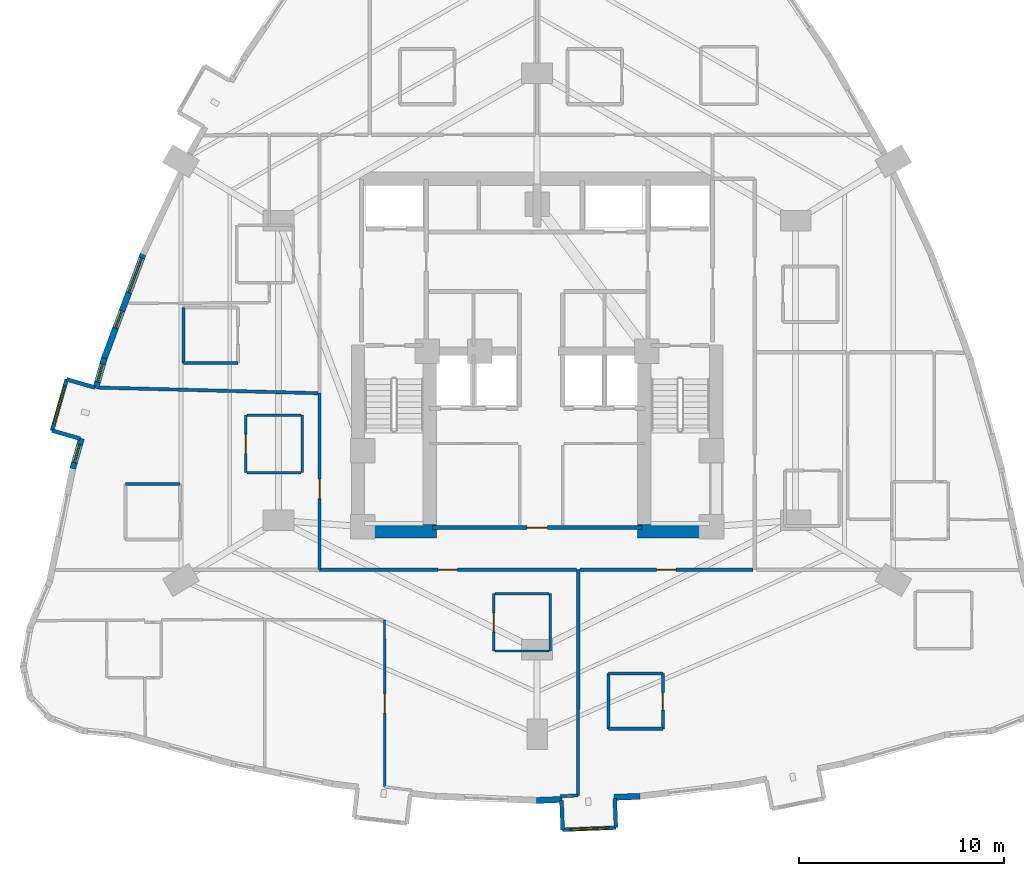
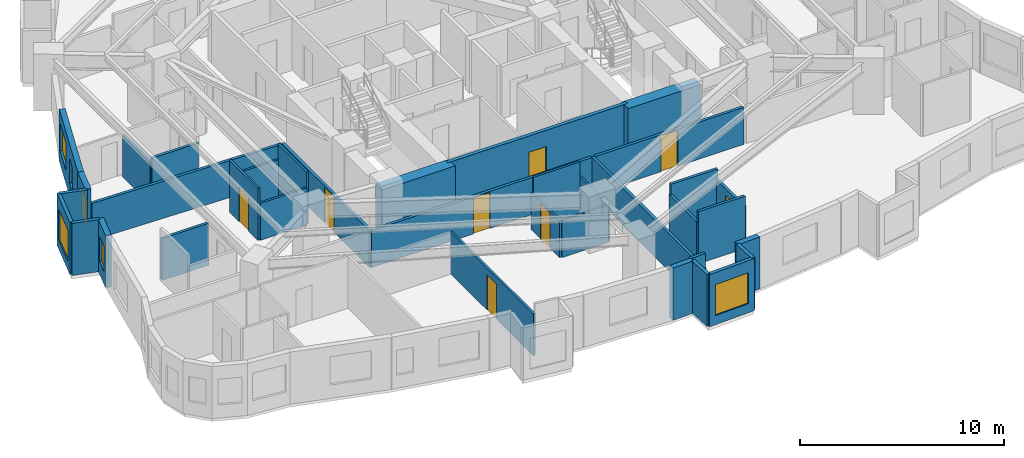
# One storey, part 9 of 15: 36 walls, 8 doors, 6 windows, 14 openings.
"""IFC4 building model written with IfcOpenShell, lengths in metres."""

from ifc_helpers import new_model, si_unit, direction, frame, frame_2d, origin, place, context, subcontext, project, spatial, rectangle, extrude, material, layer, layer_set, type_object, element, fill, save


model = new_model("IFC4")

# Units and contexts
model_context = context("Model", 3, precision=1e-05, world=origin(), true_north=direction((0.0, 1.0)))
body_context = subcontext(model_context, "Body", "Model", "MODEL_VIEW")
ifc_project = project(units=[si_unit("LENGTHUNIT", "METRE"), si_unit("AREAUNIT", "SQUARE_METRE"), si_unit("VOLUMEUNIT", "CUBIC_METRE"), si_unit("PLANEANGLEUNIT", "RADIAN"), si_unit("MASSUNIT", "GRAM", prefix="KILO")], contexts=[model_context])

# Site, building, storey
site_placement = place(None, origin())
site = spatial("IfcSite", under=ifc_project, at=site_placement, CompositionType="ELEMENT")
building_placement = place(site_placement, origin())
building = spatial("IfcBuilding", under=site, at=building_placement, Name="Miruveldt Soraemaru", CompositionType="ELEMENT")
storey_placement = place(building_placement, frame((0.0, 0.0, 32.60009765625)))
storey = spatial("IfcBuildingStorey", under=building, at=storey_placement, Name="L08", CompositionType="ELEMENT", Elevation=32.60009765625)

# Walls
ifc_material_1 = material(Name="White powder-coated aluminium EN AW-6060 T6", Category="aluminium")
ifc_layer_1 = layer(ifc_material_1, 0.18994140625, Name="White powder-coated aluminium EN AW-6060 T6", Category="aluminium")
ifc_layer_set_1 = layer_set([ifc_layer_1], Name="White powder-coated aluminium EN AW-6060 T6")
wall_type_1 = type_object("IfcWallType", Name="WALL-BAY-ALU190", PredefinedType="SOLIDWALL", material=ifc_layer_set_1)
wall_1_placement = place(storey_placement, frame((22.44482421875, 42.28369140625, 0.0), z_axis=(0.0, 0.0, 1.0), x_axis=(-0.961407497968, 0.27512837522, 0.0)))
element("IfcWall", 1, at=wall_1_placement, inside=storey, type_object=wall_type_1, Name="L08 Bay Window Side Cheek 3L", PredefinedType="SOLIDWALL", context=body_context, shape_type="SweptSolid", body=[
    extrude(rectangle(XDim=1.425048828125, YDim=0.18994140625, at=frame_2d((0.71240234375, 0.0))), origin(), (0.0, 0.0, 1.0), 3.125),
])
wall_2_placement = place(storey_placement, frame((20.35986328125, 40.17578125, 0.0), z_axis=(0.0, 0.0, 1.0), x_axis=(0.961439844578, -0.275015318223, 0.0)))
element("IfcWall", 2, at=wall_2_placement, inside=storey, type_object=wall_type_1, Name="L08 Bay Window Side Cheek 3R", PredefinedType="SOLIDWALL", context=body_context, shape_type="SweptSolid", body=[
    extrude(rectangle(XDim=1.4248046875, YDim=0.18994140625, at=frame_2d((0.71240234375, 0.0))), origin(), (0.0, 0.0, 1.0), 3.125),
])

# Wall, opening, window
wall_3_placement = place(storey_placement, frame((21.07470703125, 42.67578125, 0.0), z_axis=(0.0, 0.0, 1.0), x_axis=(-0.274919538046, -0.961467236883, 0.0)))
wall_3 = element("IfcWall", 3, at=wall_3_placement, inside=storey, type_object=wall_type_1, Name="L08 Bay Window Front Frame 3", PredefinedType="SOLIDWALL", context=body_context, shape_type="SweptSolid", body=[
    extrude(rectangle(XDim=2.60009765625, YDim=0.18994140625, at=frame_2d((1.300048828125, 0.0))), origin(), (0.0, 0.0, 1.0), 3.125),
])
opening_1_placement = place(wall_3_placement, frame((0.35009765625, 0.0, 0.550048828125)))
opening_1 = element("IfcOpeningElement", 4, at=opening_1_placement, cuts=wall_3, Name="Opening WN-6", PredefinedType="OPENING", context=body_context, shape_type="SweptSolid", body=[
    extrude(rectangle(XDim=1.89990234375, YDim=1.85009765625, at=frame_2d((0.949951171875, 0.925048828125))), frame((0.0, 0.10498046875, 0.0), z_axis=(0.0, -1.0, 0.0), x_axis=(1.0, 0.0, 0.0)), (0.0, 0.0, 1.0), 0.2099609375),
])
ifc_material_2 = material(Name="Triple low-e insulated glazing", Category="glass")
window_type_1 = type_object("IfcWindowType", Name="WIN-BAYW-1900x1850", PartitioningType="SINGLE_PANEL", PredefinedType="WINDOW", material=ifc_material_2)
window_1_placement = place(opening_1_placement, origin())
window_1 = element("IfcWindow", 5, at=window_1_placement, inside=storey, type_object=window_type_1, Name="L08 Projecting Bay Window 3", OverallHeight=1.85009765625, OverallWidth=1.89990234375, PartitioningType="SINGLE_PANEL", PredefinedType="WINDOW", context=body_context, shape_type="SweptSolid", body=[
    extrude(rectangle(XDim=1.89990234375, YDim=1.85009765625, at=frame_2d((0.949951171875, 0.925048828125))), frame((0.0, 0.030029296875, 0.0), z_axis=(0.0, -1.0, 0.0), x_axis=(1.0, 0.0, 0.0)), (0.0, 0.0, 1.0), 0.06005859375),
])
fill(opening_1, window_1)

# Walls
for number, where, z_axis, x_axis, name in (
    (6, (45.189453125, 22.14794921875, 0.0), (0.0, 0.0, 1.0), (0.039920142234, -0.999202873417, 0.0), "L08 Bay Window Side Cheek 5L"),
    (7, (47.84423828125, 20.827880859375, 0.0), (0.0, 0.0, 1.0), (-0.039920142234, 0.999202873417, 0.0), "L08 Bay Window Side Cheek 5R"),
):
    element("IfcWall", number, at=place(storey_placement, frame(where, z_axis=z_axis, x_axis=x_axis)), inside=storey, type_object=wall_type_1, Name=name, PredefinedType="SOLIDWALL", context=body_context, shape_type="SweptSolid", body=[
        extrude(rectangle(XDim=1.425048828125, YDim=0.18994140625, at=frame_2d((0.71240234375, 0.0))), origin(), (0.0, 0.0, 1.0), 3.125),
    ])

# Wall, opening, window
wall_4_placement = place(storey_placement, frame((45.246337890625, 20.72412109375, 0.0), z_axis=(0.0, 0.0, 1.0), x_axis=(0.999203356953, 0.039908037469, 0.0)))
wall_4 = element("IfcWall", 8, at=wall_4_placement, inside=storey, type_object=wall_type_1, Name="L08 Bay Window Front Frame 5", PredefinedType="SOLIDWALL", context=body_context, shape_type="SweptSolid", body=[
    extrude(rectangle(XDim=2.599853515625, YDim=0.18994140625, at=frame_2d((1.2998046875, 0.0))), origin(), (0.0, 0.0, 1.0), 3.125),
])
opening_2_placement = place(wall_4_placement, frame((0.35009765625, 0.0, 0.550048828125)))
opening_2 = element("IfcOpeningElement", 9, at=opening_2_placement, cuts=wall_4, Name="Opening WN-6", PredefinedType="OPENING", context=body_context, shape_type="SweptSolid", body=[
    extrude(rectangle(XDim=1.89990234375, YDim=1.85009765625, at=frame_2d((0.949951171875, 0.925048828125))), frame((0.0, 0.10498046875, 0.0), z_axis=(0.0, -1.0, 0.0), x_axis=(1.0, 0.0, 0.0)), (0.0, 0.0, 1.0), 0.2099609375),
])
window_2_placement = place(opening_2_placement, origin())
window_2 = element("IfcWindow", 10, at=window_2_placement, inside=storey, type_object=window_type_1, Name="L08 Projecting Bay Window 5", OverallHeight=1.85009765625, OverallWidth=1.89990234375, PartitioningType="SINGLE_PANEL", PredefinedType="WINDOW", context=body_context, shape_type="SweptSolid", body=[
    extrude(rectangle(XDim=1.89990234375, YDim=1.85009765625, at=frame_2d((0.949951171875, 0.925048828125))), frame((0.0, 0.030029296875, 0.0), z_axis=(0.0, -1.0, 0.0), x_axis=(1.0, 0.0, 0.0)), (0.0, 0.0, 1.0), 0.06005859375),
])
fill(opening_2, window_2)

# Walls
ifc_material_3 = material(Name="Concrete C80/95 (80 MPa)", Category="concrete")
ifc_layer_2 = layer(ifc_material_3, 0.64990234375, Name="Concrete C80/95 (80 MPa)", Category="concrete")
ifc_layer_set_2 = layer_set([ifc_layer_2], Name="Concrete C80/95 (80 MPa)")
wall_type_2 = type_object("IfcWallType", Name="WALL-CW-650", PredefinedType="SHEAR", material=ifc_layer_set_2)
for number, where, z_axis, x_axis, name in (
    (11, (34.949951171875, 35.27490234375, 0.0), (0.0, 0.0, 1.0), (1.0, 0.0, 0.0), "L08 Central Core Shear Wall S1"),
    (12, (48.89990234375, 35.27490234375, 0.0), (0.0, 0.0, 1.0), (1.0, 0.0, 0.0), "L08 Central Core Shear Wall S2"),
):
    element("IfcWall", number, at=place(storey_placement, frame(where, z_axis=z_axis, x_axis=x_axis)), inside=storey, type_object=wall_type_2, Name=name, PredefinedType="SHEAR", context=body_context, shape_type="SweptSolid", body=[
        extrude(rectangle(XDim=4.150146484375, YDim=0.64990234375, at=frame_2d((2.0751953125, 0.0))), origin(), (0.0, 0.0, 1.0), 3.125),
    ])

# Wall, openings, windows
ifc_material_4 = material(Name="Precast concrete C45/55 (45 MPa)", Category="concrete")
ifc_layer_3 = layer(ifc_material_4, 0.300048828125, Name="Precast concrete C45/55 (45 MPa)", Category="concrete")
ifc_layer_set_3 = layer_set([ifc_layer_3], Name="Precast concrete C45/55 (45 MPa)")
wall_type_3 = type_object("IfcWallType", Name="WALL-EXT-PC300", PredefinedType="SOLIDWALL", material=ifc_layer_set_3)
wall_5_placement = place(storey_placement, frame((24.820556640625, 48.832763671875, 0.0), z_axis=(0.0, 0.0, 1.0), x_axis=(-0.349000413077, -0.93712257025, 0.0)))
wall_5 = element("IfcWall", 13, at=wall_5_placement, inside=storey, type_object=wall_type_3, Name="L08 Precast Concrete Facade Wall 12", PredefinedType="SOLIDWALL", context=body_context, shape_type="SweptSolid", body=[
    extrude(rectangle(XDim=5.53466796875, YDim=0.300048828125, at=frame_2d((2.767333984375, 0.0))), origin(), (0.0, 0.0, 1.0), 3.125),
])
opening_3_placement = place(wall_5_placement, frame((0.258056640625, 0.0, 0.800048828125)))
opening_3 = element("IfcOpeningElement", 14, at=opening_3_placement, cuts=wall_5, Name="Opening WN-2", PredefinedType="OPENING", context=body_context, shape_type="SweptSolid", body=[
    extrude(rectangle(XDim=1.800048828125, YDim=1.64990234375, at=frame_2d((0.89990234375, 0.824951171875))), frame((0.0, 0.16015625, 0.0), z_axis=(0.0, -1.0, 0.0), x_axis=(1.0, 0.0, 0.0)), (0.0, 0.0, 1.0), 0.320068359375),
])
opening_4_placement = place(wall_5_placement, frame((3.006103515625, 0.0, 0.780029296875)))
opening_4 = element("IfcOpeningElement", 15, at=opening_4_placement, cuts=wall_5, Name="Opening WN-7", PredefinedType="OPENING", context=body_context, shape_type="SweptSolid", body=[
    extrude(rectangle(XDim=0.89990234375, YDim=1.5, at=frame_2d((0.449951171875, 0.75))), frame((0.0, 0.16015625, 0.0), z_axis=(0.0, -1.0, 0.0), x_axis=(1.0, 0.0, 0.0)), (0.0, 0.0, 1.0), 0.320068359375),
])
window_type_2 = type_object("IfcWindowType", Name="WIN-PUNCH-1800x1650", PartitioningType="SINGLE_PANEL", PredefinedType="WINDOW", material=ifc_material_2)
window_3_placement = place(opening_3_placement, origin())
window_3 = element("IfcWindow", 16, at=window_3_placement, inside=storey, type_object=window_type_2, Name="L08 Punched Triple-Glazed Window 12.1", OverallHeight=1.64990234375, OverallWidth=1.800048828125, PartitioningType="SINGLE_PANEL", PredefinedType="WINDOW", context=body_context, shape_type="SweptSolid", body=[
    extrude(rectangle(XDim=1.800048828125, YDim=1.64990234375, at=frame_2d((0.89990234375, 0.824951171875))), frame((0.0, 0.030029296875, 0.0), z_axis=(0.0, -1.0, 0.0), x_axis=(1.0, 0.0, 0.0)), (0.0, 0.0, 1.0), 0.06005859375),
])
fill(opening_3, window_3)
window_type_3 = type_object("IfcWindowType", Name="WIN-PUNCH-900x1500", PartitioningType="SINGLE_PANEL", PredefinedType="WINDOW", material=ifc_material_2)
window_4_placement = place(opening_4_placement, origin())
window_4 = element("IfcWindow", 17, at=window_4_placement, inside=storey, type_object=window_type_3, Name="L08 Punched Triple-Glazed Window 12.2", OverallHeight=1.5, OverallWidth=0.89990234375, PartitioningType="SINGLE_PANEL", PredefinedType="WINDOW", context=body_context, shape_type="SweptSolid", body=[
    extrude(rectangle(XDim=0.89990234375, YDim=1.5, at=frame_2d((0.449951171875, 0.75))), frame((0.0, 0.030029296875, 0.0), z_axis=(0.0, -1.0, 0.0), x_axis=(1.0, 0.0, 0.0)), (0.0, 0.0, 1.0), 0.06005859375),
])
fill(opening_4, window_4)

# Wall, opening, window
wall_6_placement = place(storey_placement, frame((22.91064453125, 43.71240234375, 0.0), z_axis=(0.0, 0.0, 1.0), x_axis=(-0.274994833253, -0.961445703971, 0.0)))
wall_6 = element("IfcWall", 18, at=wall_6_placement, inside=storey, type_object=wall_type_3, Name="L08 Precast Pier Wall 13A", PredefinedType="SOLIDWALL", context=body_context, shape_type="SweptSolid", body=[
    extrude(rectangle(XDim=1.531494140625, YDim=0.300048828125, at=frame_2d((0.765625, 0.0))), origin(), (0.0, 0.0, 1.0), 3.125),
])
opening_5_placement = place(wall_6_placement, frame((0.30908203125, 0.0, 0.780029296875)))
opening_5 = element("IfcOpeningElement", 19, at=opening_5_placement, cuts=wall_6, Name="Opening WN-7", PredefinedType="OPENING", context=body_context, shape_type="SweptSolid", body=[
    extrude(rectangle(XDim=0.89990234375, YDim=1.5, at=frame_2d((0.449951171875, 0.75))), frame((0.0, 0.16015625, 0.0), z_axis=(0.0, -1.0, 0.0), x_axis=(1.0, 0.0, 0.0)), (0.0, 0.0, 1.0), 0.320068359375),
])
window_5_placement = place(opening_5_placement, origin())
window_5 = element("IfcWindow", 20, at=window_5_placement, inside=storey, type_object=window_type_3, Name="L08 Punched Triple-Glazed Window 13A.1", OverallHeight=1.5, OverallWidth=0.89990234375, PartitioningType="SINGLE_PANEL", PredefinedType="WINDOW", context=body_context, shape_type="SweptSolid", body=[
    extrude(rectangle(XDim=0.89990234375, YDim=1.5, at=frame_2d((0.449951171875, 0.75))), frame((0.0, 0.030029296875, 0.0), z_axis=(0.0, -1.0, 0.0), x_axis=(1.0, 0.0, 0.0)), (0.0, 0.0, 1.0), 0.06005859375),
])
fill(opening_5, window_5)

wall_7_placement = place(storey_placement, frame((21.791015625, 39.797607421875, 0.0), z_axis=(0.0, 0.0, 1.0), x_axis=(-0.274994833253, -0.961445703971, 0.0)))
wall_7 = element("IfcWall", 21, at=wall_7_placement, inside=storey, type_object=wall_type_3, Name="L08 Precast Pier Wall 13B", PredefinedType="SOLIDWALL", context=body_context, shape_type="SweptSolid", body=[
    extrude(rectangle(XDim=1.531494140625, YDim=0.300048828125, at=frame_2d((0.765625, 0.0))), origin(), (0.0, 0.0, 1.0), 3.125),
])
opening_6_placement = place(wall_7_placement, frame((0.31591796875, 0.0, 0.780029296875)))
opening_6 = element("IfcOpeningElement", 22, at=opening_6_placement, cuts=wall_7, Name="Opening WN-7", PredefinedType="OPENING", context=body_context, shape_type="SweptSolid", body=[
    extrude(rectangle(XDim=0.89990234375, YDim=1.5, at=frame_2d((0.449951171875, 0.75))), frame((0.0, 0.16015625, 0.0), z_axis=(0.0, -1.0, 0.0), x_axis=(1.0, 0.0, 0.0)), (0.0, 0.0, 1.0), 0.320068359375),
])
window_6_placement = place(opening_6_placement, origin())
window_6 = element("IfcWindow", 23, at=window_6_placement, inside=storey, type_object=window_type_3, Name="L08 Punched Triple-Glazed Window 13B.1", OverallHeight=1.5, OverallWidth=0.89990234375, PartitioningType="SINGLE_PANEL", PredefinedType="WINDOW", context=body_context, shape_type="SweptSolid", body=[
    extrude(rectangle(XDim=0.89990234375, YDim=1.5, at=frame_2d((0.449951171875, 0.75))), frame((0.0, 0.030029296875, 0.0), z_axis=(0.0, -1.0, 0.0), x_axis=(1.0, 0.0, 0.0)), (0.0, 0.0, 1.0), 0.06005859375),
])
fill(opening_6, window_6)

# Walls
for number, where, z_axis, x_axis, name in (
    (24, (43.965087890625, 22.154052734375, 0.0), (0.0, 0.0, 1.0), (0.999202203057, 0.039936917845, 0.0), "L08 Precast Pier Wall 25A"),
    (25, (47.755126953125, 22.3056640625, 0.0), (0.0, 0.0, 1.0), (0.999202203057, 0.039936917845, 0.0), "L08 Precast Pier Wall 25B"),
):
    element("IfcWall", number, at=place(storey_placement, frame(where, z_axis=z_axis, x_axis=x_axis)), inside=storey, type_object=wall_type_3, Name=name, PredefinedType="SOLIDWALL", context=body_context, shape_type="SweptSolid", body=[
        extrude(rectangle(XDim=1.253173828125, YDim=0.300048828125, at=frame_2d((0.62646484375, 0.0))), origin(), (0.0, 0.0, 1.0), 3.125),
    ])

# Wall, opening, door
ifc_material_5 = material(Name="Gypsum plasterboard lining", Category="gypsum")
ifc_layer_4 = layer(ifc_material_5, 0.1201171875, Name="Gypsum plasterboard lining", Category="gypsum")
ifc_layer_set_4 = layer_set([ifc_layer_4], Name="Gypsum plasterboard lining")
wall_type_4 = type_object("IfcWallType", Name="WALL-INT-P120", PredefinedType="PARTITIONING", material=ifc_layer_set_4)
wall_8_placement = place(storey_placement, frame((36.56298828125, 30.949951171875, 0.0), z_axis=(0.0, 0.0, 1.0), x_axis=(0.001230454337, -0.999999242991, 0.0)))
wall_8 = element("IfcWall", 26, at=wall_8_placement, inside=storey, type_object=wall_type_4, Name="L08 Partition Wall 95", PredefinedType="PARTITIONING", context=body_context, shape_type="SweptSolid", body=[
    extrude(rectangle(XDim=8.135009765625, YDim=0.1201171875, at=frame_2d((4.0673828125, 0.0))), origin(), (0.0, 0.0, 1.0), 2.512939453125),
])
opening_7_placement = place(wall_8_placement, frame((3.60791015625, 0.0, 0.0)))
opening_7 = element("IfcOpeningElement", 27, at=opening_7_placement, cuts=wall_8, Name="Opening D3A", PredefinedType="OPENING", context=body_context, shape_type="SweptSolid", body=[
    extrude(rectangle(XDim=0.919921875, YDim=2.10009765625, at=frame_2d((0.4599609375, 1.050048828125))), frame((0.0, 0.070068359375, 0.0), z_axis=(0.0, -1.0, 0.0), x_axis=(1.0, 0.0, 0.0)), (0.0, 0.0, 1.0), 0.14013671875),
])
ifc_material_6 = material(Name="Anodised aluminium EN AW-6063 T6", Category="aluminium")
door_type_1 = type_object("IfcDoorType", Name="DOOR-INT-920", OperationType="NOTDEFINED", PredefinedType="DOOR", material=ifc_material_6)
door_1_placement = place(opening_7_placement, origin())
door_1 = element("IfcDoor", 28, at=door_1_placement, inside=storey, type_object=door_type_1, Name="L08 Unit 0808 BD3 Door", OperationType="SINGLE_SWING_RIGHT", OverallHeight=2.10009765625, OverallWidth=0.919921875, PredefinedType="DOOR", context=body_context, shape_type="SweptSolid", body=[
    extrude(rectangle(XDim=0.919921875, YDim=2.10009765625, at=frame_2d((0.4599609375, 1.050048828125))), frame((0.0, 0.02490234375, 0.0), z_axis=(0.0, -1.0, 0.0), x_axis=(1.0, 0.0, 0.0)), (0.0, 0.0, 1.0), 0.050048828125),
])
fill(opening_7, door_1)

wall_9_placement = place(storey_placement, frame((41.884033203125, 32.238037109375, 0.0), z_axis=(0.0, 0.0, 1.0), x_axis=(0.0, -1.0, 0.0)))
wall_9 = element("IfcWall", 29, at=wall_9_placement, inside=storey, type_object=wall_type_4, Name="L08 Partition Wall 87", PredefinedType="PARTITIONING", context=body_context, shape_type="SweptSolid", body=[
    extrude(rectangle(XDim=2.800048828125, YDim=0.1201171875, at=frame_2d((1.39990234375, 0.0))), origin(), (0.0, 0.0, 1.0), 2.219970703125),
])
opening_8_placement = place(wall_9_placement, frame((0.93994140625, 0.0, 0.0)))
opening_8 = element("IfcOpeningElement", 30, at=opening_8_placement, cuts=wall_9, Name="Opening D3A", PredefinedType="OPENING", context=body_context, shape_type="SweptSolid", body=[
    extrude(rectangle(XDim=0.919921875, YDim=2.10009765625, at=frame_2d((0.4599609375, 1.050048828125))), frame((0.0, 0.070068359375, 0.0), z_axis=(0.0, -1.0, 0.0), x_axis=(1.0, 0.0, 0.0)), (0.0, 0.0, 1.0), 0.14013671875),
])
door_2_placement = place(opening_8_placement, origin())
door_2 = element("IfcDoor", 31, at=door_2_placement, inside=storey, type_object=door_type_1, Name="L08 Unit 0808 KIT Door", OperationType="SINGLE_SWING_LEFT", OverallHeight=2.10009765625, OverallWidth=0.919921875, PredefinedType="DOOR", context=body_context, shape_type="SweptSolid", body=[
    extrude(rectangle(XDim=0.919921875, YDim=2.10009765625, at=frame_2d((0.4599609375, 1.050048828125))), frame((0.0, 0.02490234375, 0.0), z_axis=(0.0, -1.0, 0.0), x_axis=(1.0, 0.0, 0.0)), (0.0, 0.0, 1.0), 0.050048828125),
])
fill(opening_8, door_2)

wall_10_placement = place(storey_placement, frame((29.799072265625, 40.929931640625, 0.0), z_axis=(0.0, 0.0, 1.0), x_axis=(0.0, -1.0, 0.0)))
wall_10 = element("IfcWall", 32, at=wall_10_placement, inside=storey, type_object=wall_type_4, Name="L08 Partition Wall 61", PredefinedType="PARTITIONING", context=body_context, shape_type="SweptSolid", body=[
    extrude(rectangle(XDim=2.800048828125, YDim=0.1201171875, at=frame_2d((1.39990234375, 0.0))), origin(), (0.0, 0.0, 1.0), 3.125),
])
opening_9_placement = place(wall_10_placement, frame((0.93994140625, 0.0, 0.0)))
opening_9 = element("IfcOpeningElement", 33, at=opening_9_placement, cuts=wall_10, Name="Opening D3A", PredefinedType="OPENING", context=body_context, shape_type="SweptSolid", body=[
    extrude(rectangle(XDim=0.919921875, YDim=2.10009765625, at=frame_2d((0.4599609375, 1.050048828125))), frame((0.0, 0.070068359375, 0.0), z_axis=(0.0, -1.0, 0.0), x_axis=(1.0, 0.0, 0.0)), (0.0, 0.0, 1.0), 0.14013671875),
])
door_3_placement = place(opening_9_placement, origin())
door_3 = element("IfcDoor", 34, at=door_3_placement, inside=storey, type_object=door_type_1, Name="L08 Unit CL05 KIT Door", OperationType="SINGLE_SWING_RIGHT", OverallHeight=2.10009765625, OverallWidth=0.919921875, PredefinedType="DOOR", context=body_context, shape_type="SweptSolid", body=[
    extrude(rectangle(XDim=0.919921875, YDim=2.10009765625, at=frame_2d((0.4599609375, 1.050048828125))), frame((0.0, 0.02490234375, 0.0), z_axis=(0.0, -1.0, 0.0), x_axis=(1.0, 0.0, 0.0)), (0.0, 0.0, 1.0), 0.050048828125),
])
fill(opening_9, door_3)

# Walls
wall_11_placement = place(storey_placement, frame((44.634033203125, 29.43798828125, 0.0), z_axis=(0.0, 0.0, 1.0), x_axis=(0.0, 1.0, 0.0)))
element("IfcWall", 35, at=wall_11_placement, inside=storey, type_object=wall_type_4, Name="L08 Partition Wall 85", PredefinedType="PARTITIONING", context=body_context, shape_type="SweptSolid", body=[
    extrude(rectangle(XDim=2.800048828125, YDim=0.1201171875, at=frame_2d((1.39990234375, 0.0))), origin(), (0.0, 0.0, 1.0), 2.219970703125),
])
wall_12_placement = place(storey_placement, frame((32.549072265625, 38.1298828125, 0.0), z_axis=(0.0, 0.0, 1.0), x_axis=(0.0, 1.0, 0.0)))
element("IfcWall", 36, at=wall_12_placement, inside=storey, type_object=wall_type_4, Name="L08 Partition Wall 59", PredefinedType="PARTITIONING", context=body_context, shape_type="SweptSolid", body=[
    extrude(rectangle(XDim=2.800048828125, YDim=0.1201171875, at=frame_2d((1.39990234375, 0.0))), origin(), (0.0, 0.0, 1.0), 3.125),
])
for number, where, z_axis, x_axis, name in (
    (37, (32.489013671875, 40.929931640625, 0.0), (0.0, 0.0, 1.0), (-1.0, 0.0, 0.0), "L08 Partition Wall 60"),
    (38, (29.85888671875, 38.1298828125, 0.0), (0.0, 0.0, 1.0), (1.0, 0.0, 0.0), "L08 Partition Wall 62"),
):
    element("IfcWall", number, at=place(storey_placement, frame(where, z_axis=z_axis, x_axis=x_axis)), inside=storey, type_object=wall_type_4, Name=name, PredefinedType="PARTITIONING", context=body_context, shape_type="SweptSolid", body=[
        extrude(rectangle(XDim=2.630126953125, YDim=0.1201171875, at=frame_2d((1.31494140625, 0.0))), origin(), (0.0, 0.0, 1.0), 2.219970703125),
    ])
wall_13_placement = place(storey_placement, frame((44.573974609375, 32.238037109375, 0.0), z_axis=(0.0, 0.0, 1.0), x_axis=(-1.0, 0.0, 0.0)))
element("IfcWall", 39, at=wall_13_placement, inside=storey, type_object=wall_type_4, Name="L08 Partition Wall 86", PredefinedType="PARTITIONING", context=body_context, shape_type="SweptSolid", body=[
    extrude(rectangle(XDim=2.6298828125, YDim=0.1201171875, at=frame_2d((1.31494140625, 0.0))), origin(), (0.0, 0.0, 1.0), 3.125),
])
wall_14_placement = place(storey_placement, frame((41.944091796875, 29.43798828125, 0.0), z_axis=(0.0, 0.0, 1.0), x_axis=(1.0, 0.0, 0.0)))
element("IfcWall", 40, at=wall_14_placement, inside=storey, type_object=wall_type_4, Name="L08 Partition Wall 88", PredefinedType="PARTITIONING", context=body_context, shape_type="SweptSolid", body=[
    extrude(rectangle(XDim=2.6298828125, YDim=0.1201171875, at=frame_2d((1.31494140625, 0.0))), origin(), (0.0, 0.0, 1.0), 2.219970703125),
])

# Wall, opening, door
ifc_layer_5 = layer(ifc_material_5, 0.14990234375, Name="Gypsum plasterboard lining", Category="gypsum")
ifc_layer_set_5 = layer_set([ifc_layer_5], Name="Gypsum plasterboard lining")
wall_type_5 = type_object("IfcWallType", Name="WALL-INT-PLUMB", PredefinedType="PLUMBINGWALL", material=ifc_layer_set_5)
wall_15_placement = place(storey_placement, frame((50.1298828125, 25.64794921875, 0.0), z_axis=(0.0, 0.0, 1.0), x_axis=(0.0, 1.0, 0.0)))
wall_15 = element("IfcWall", 41, at=wall_15_placement, inside=storey, type_object=wall_type_5, Name="L08 Partition Wall 99", PredefinedType="PLUMBINGWALL", context=body_context, shape_type="SweptSolid", body=[
    extrude(rectangle(XDim=2.699951171875, YDim=0.14990234375, at=frame_2d((1.35009765625, 0.0))), origin(), (0.0, 0.0, 1.0), 2.512939453125),
])
opening_10_placement = place(wall_15_placement, frame((0.909912109375, 0.0, 0.0)))
opening_10 = element("IfcOpeningElement", 42, at=opening_10_placement, cuts=wall_15, Name="Opening FD3", PredefinedType="OPENING", context=body_context, shape_type="SweptSolid", body=[
    extrude(rectangle(XDim=0.85009765625, YDim=2.10009765625, at=frame_2d((0.425048828125, 1.050048828125))), frame((0.0, 0.0849609375, 0.0), z_axis=(0.0, -1.0, 0.0), x_axis=(1.0, 0.0, 0.0)), (0.0, 0.0, 1.0), 0.169921875),
])
door_type_2 = type_object("IfcDoorType", Name="DOOR-FD3-850", OperationType="NOTDEFINED", PredefinedType="DOOR", material=ifc_material_6)
door_4_placement = place(opening_10_placement, origin())
door_4 = element("IfcDoor", 43, at=door_4_placement, inside=storey, type_object=door_type_2, Name="L08 Unit CL09 BTH Door", OperationType="SINGLE_SWING_RIGHT", OverallHeight=2.10009765625, OverallWidth=0.85009765625, PredefinedType="DOOR", context=body_context, shape_type="SweptSolid", body=[
    extrude(rectangle(XDim=0.85009765625, YDim=2.10009765625, at=frame_2d((0.425048828125, 1.050048828125))), frame((0.0, 0.02490234375, 0.0), z_axis=(0.0, -1.0, 0.0), x_axis=(1.0, 0.0, 0.0)), (0.0, 0.0, 1.0), 0.050048828125),
])
fill(opening_10, door_4)

# Walls
for number, where, z_axis, x_axis, name in (
    (44, (26.77197265625, 46.179931640625, 0.0), (0.0, 0.0, 1.0), (0.0, -1.0, 0.0), "L08 Partition Wall 43"),
    (45, (47.47998046875, 28.347900390625, 0.0), (0.0, 0.0, 1.0), (0.0, -1.0, 0.0), "L08 Partition Wall 101"),
):
    element("IfcWall", number, at=place(storey_placement, frame(where, z_axis=z_axis, x_axis=x_axis)), inside=storey, type_object=wall_type_5, Name=name, PredefinedType="PLUMBINGWALL", context=body_context, shape_type="SweptSolid", body=[
        extrude(rectangle(XDim=2.699951171875, YDim=0.14990234375, at=frame_2d((1.35009765625, 0.0))), origin(), (0.0, 0.0, 1.0), 2.512939453125),
    ])
for number, where, z_axis, x_axis, name in (
    (46, (50.1298828125, 28.347900390625, 0.0), (0.0, 0.0, 1.0), (-1.0, 0.0, 0.0), "L08 Partition Wall 100"),
    (47, (47.47998046875, 25.64794921875, 0.0), (0.0, 0.0, 1.0), (1.0, 0.0, 0.0), "L08 Partition Wall 102"),
):
    element("IfcWall", number, at=place(storey_placement, frame(where, z_axis=z_axis, x_axis=x_axis)), inside=storey, type_object=wall_type_5, Name=name, PredefinedType="PLUMBINGWALL", context=body_context, shape_type="SweptSolid", body=[
        extrude(rectangle(XDim=2.64990234375, YDim=0.14990234375, at=frame_2d((1.324951171875, 0.0))), origin(), (0.0, 0.0, 1.0), 3.125),
    ])
wall_16_placement = place(storey_placement, frame((26.77197265625, 43.47998046875, 0.0), z_axis=(0.0, 0.0, 1.0), x_axis=(1.0, 0.0, 0.0)))
element("IfcWall", 48, at=wall_16_placement, inside=storey, type_object=wall_type_5, Name="L08 Partition Wall 44", PredefinedType="PLUMBINGWALL", context=body_context, shape_type="SweptSolid", body=[
    extrude(rectangle(XDim=2.650146484375, YDim=0.14990234375, at=frame_2d((1.3251953125, 0.0))), origin(), (0.0, 0.0, 1.0), 2.762939453125),
])
wall_17_placement = place(storey_placement, frame((26.59912109375, 37.580078125, 0.0), z_axis=(0.0, 0.0, 1.0), x_axis=(-1.0, 0.0, 0.0)))
element("IfcWall", 49, at=wall_17_placement, inside=storey, type_object=wall_type_5, Name="L08 Partition Wall 56", PredefinedType="PLUMBINGWALL", context=body_context, shape_type="SweptSolid", body=[
    extrude(rectangle(XDim=2.650146484375, YDim=0.14990234375, at=frame_2d((1.3251953125, 0.0))), origin(), (0.0, 0.0, 1.0), 2.512939453125),
])

# Wall, opening, door
ifc_material_7 = material(Name="Concrete C40/50 (40 MPa)", Category="concrete")
ifc_layer_6 = layer(ifc_material_7, 0.159912109375, Name="Concrete C40/50 (40 MPa)", Category="concrete")
ifc_layer_set_6 = layer_set([ifc_layer_6], Name="Concrete C40/50 (40 MPa)")
wall_type_6 = type_object("IfcWallType", Name="WALL-INT-RC160", PredefinedType="SOLIDWALL", material=ifc_layer_set_6)
wall_18_placement = place(storey_placement, frame((33.389892578125, 33.39990234375, 0.0), z_axis=(0.0, 0.0, 1.0), x_axis=(1.0, 0.0, 0.0)))
wall_18 = element("IfcWall", 50, at=wall_18_placement, inside=storey, type_object=wall_type_6, Name="L08 Partition Wall 10", PredefinedType="SOLIDWALL", context=body_context, shape_type="SweptSolid", body=[
    extrude(rectangle(XDim=12.527099609375, YDim=0.159912109375, at=frame_2d((6.263671875, 0.0))), origin(), (0.0, 0.0, 1.0), 2.219970703125),
])
opening_11_placement = place(wall_18_placement, frame((5.7890625, 0.0, 0.0)))
opening_11 = element("IfcOpeningElement", 51, at=opening_11_placement, cuts=wall_18, Name="Opening FD2", PredefinedType="OPENING", context=body_context, shape_type="SweptSolid", body=[
    extrude(rectangle(XDim=0.949951171875, YDim=2.14990234375, at=frame_2d((0.47509765625, 1.074951171875))), frame((0.0, 0.08984375, 0.0), z_axis=(0.0, -1.0, 0.0), x_axis=(1.0, 0.0, 0.0)), (0.0, 0.0, 1.0), 0.179931640625),
])
door_type_3 = type_object("IfcDoorType", Name="DOOR-FD2-950", OperationType="NOTDEFINED", PredefinedType="DOOR", material=ifc_material_6)
door_5_placement = place(opening_11_placement, origin())
door_5 = element("IfcDoor", 52, at=door_5_placement, inside=storey, type_object=door_type_3, Name="L08 Unit 0808 Entrance Fire Door", OperationType="SINGLE_SWING_RIGHT", OverallHeight=2.14990234375, OverallWidth=0.949951171875, PredefinedType="DOOR", context=body_context, shape_type="SweptSolid", body=[
    extrude(rectangle(XDim=0.949951171875, YDim=2.14990234375, at=frame_2d((0.47509765625, 1.074951171875))), frame((0.0, 0.02490234375, 0.0), z_axis=(0.0, -1.0, 0.0), x_axis=(1.0, 0.0, 0.0)), (0.0, 0.0, 1.0), 0.050048828125),
])
fill(opening_11, door_5)

wall_19_placement = place(storey_placement, frame((33.39990234375, 42.0, 0.0), z_axis=(0.0, 0.0, 1.0), x_axis=(0.0, -1.0, 0.0)))
wall_19 = element("IfcWall", 53, at=wall_19_placement, inside=storey, type_object=wall_type_6, Name="L08 Partition Wall 5", PredefinedType="SOLIDWALL", context=body_context, shape_type="SweptSolid", body=[
    extrude(rectangle(XDim=8.60009765625, YDim=0.159912109375, at=frame_2d((4.300048828125, 0.0))), origin(), (0.0, 0.0, 1.0), 2.219970703125),
])
opening_12_placement = place(wall_19_placement, frame((4.18505859375, 0.0, 0.0)))
opening_12 = element("IfcOpeningElement", 54, at=opening_12_placement, cuts=wall_19, Name="Opening FD2", PredefinedType="OPENING", context=body_context, shape_type="SweptSolid", body=[
    extrude(rectangle(XDim=0.949951171875, YDim=2.14990234375, at=frame_2d((0.47509765625, 1.074951171875))), frame((0.0, 0.08984375, 0.0), z_axis=(0.0, -1.0, 0.0), x_axis=(1.0, 0.0, 0.0)), (0.0, 0.0, 1.0), 0.179931640625),
])
door_6_placement = place(opening_12_placement, origin())
door_6 = element("IfcDoor", 55, at=door_6_placement, inside=storey, type_object=door_type_3, Name="L08 Unit CL05 Entrance Fire Door", OperationType="SINGLE_SWING_RIGHT", OverallHeight=2.14990234375, OverallWidth=0.949951171875, PredefinedType="DOOR", context=body_context, shape_type="SweptSolid", body=[
    extrude(rectangle(XDim=0.949951171875, YDim=2.14990234375, at=frame_2d((0.47509765625, 1.074951171875))), frame((0.0, 0.02490234375, 0.0), z_axis=(0.0, -1.0, 0.0), x_axis=(1.0, 0.0, 0.0)), (0.0, 0.0, 1.0), 0.050048828125),
])
fill(opening_12, door_6)

wall_20_placement = place(storey_placement, frame((46.080078125, 33.39990234375, 0.0), z_axis=(0.0, 0.0, 1.0), x_axis=(1.0, 0.0, 0.0)))
wall_20 = element("IfcWall", 56, at=wall_20_placement, inside=storey, type_object=wall_type_6, Name="L08 Partition Wall 11", PredefinedType="SOLIDWALL", context=body_context, shape_type="SweptSolid", body=[
    extrude(rectangle(XDim=8.43994140625, YDim=0.159912109375, at=frame_2d((4.219970703125, 0.0))), origin(), (0.0, 0.0, 1.0), 2.219970703125),
])
opening_13_placement = place(wall_20_placement, frame((3.7451171875, 0.0, 0.0)))
opening_13 = element("IfcOpeningElement", 57, at=opening_13_placement, cuts=wall_20, Name="Opening FD2", PredefinedType="OPENING", context=body_context, shape_type="SweptSolid", body=[
    extrude(rectangle(XDim=0.949951171875, YDim=2.14990234375, at=frame_2d((0.47509765625, 1.074951171875))), frame((0.0, 0.08984375, 0.0), z_axis=(0.0, -1.0, 0.0), x_axis=(1.0, 0.0, 0.0)), (0.0, 0.0, 1.0), 0.179931640625),
])
door_7_placement = place(opening_13_placement, origin())
door_7 = element("IfcDoor", 58, at=door_7_placement, inside=storey, type_object=door_type_3, Name="L08 Unit CL09 Entrance Fire Door", OperationType="SINGLE_SWING_LEFT", OverallHeight=2.14990234375, OverallWidth=0.949951171875, PredefinedType="DOOR", context=body_context, shape_type="SweptSolid", body=[
    extrude(rectangle(XDim=0.949951171875, YDim=2.14990234375, at=frame_2d((0.47509765625, 1.074951171875))), frame((0.0, 0.02490234375, 0.0), z_axis=(0.0, -1.0, 0.0), x_axis=(1.0, 0.0, 0.0)), (0.0, 0.0, 1.0), 0.050048828125),
])
fill(opening_13, door_7)

# Walls
wall_21_placement = place(storey_placement, frame((45.9970703125, 22.39990234375, 0.0), z_axis=(0.0, 0.0, 1.0), x_axis=(0.000266335218, 0.999999964533, 0.0)))
element("IfcWall", 59, at=wall_21_placement, inside=storey, type_object=wall_type_6, Name="L08 Partition Wall 96", PredefinedType="SOLIDWALL", context=body_context, shape_type="SweptSolid", body=[
    extrude(rectangle(XDim=11.0, YDim=0.159912109375, at=frame_2d((5.5, 0.0))), origin(), (0.0, 0.0, 1.0), 2.219970703125),
])
wall_22_placement = place(storey_placement, frame((22.663330078125, 42.2734375, 0.0), z_axis=(0.0, 0.0, 1.0), x_axis=(0.999670979336, -0.025650206114, 0.0)))
element("IfcWall", 60, at=wall_22_placement, inside=storey, type_object=wall_type_6, Name="L08 Partition Wall 51", PredefinedType="SOLIDWALL", context=body_context, shape_type="SweptSolid", body=[
    extrude(rectangle(XDim=10.66015625, YDim=0.159912109375, at=frame_2d((5.330078125, 0.0))), origin(), (0.0, 0.0, 1.0), 2.219970703125),
])
wall_23_placement = place(storey_placement, frame((45.9970703125, 22.39990234375, 0.0), z_axis=(0.0, 0.0, 1.0), x_axis=(-0.998880840972, -0.047297627194, 0.0)))
element("IfcWall", 61, at=wall_23_placement, inside=storey, type_object=wall_type_6, Name="L08 Partition Closure Return 2", PredefinedType="SOLIDWALL", context=body_context, shape_type="SweptSolid", body=[
    extrude(rectangle(XDim=0.8671875, YDim=0.159912109375, at=frame_2d((0.43359375, 0.0))), origin(), (0.0, 0.0, 1.0), 3.125),
])

# Wall, opening, door
ifc_layer_7 = layer(ifc_material_7, 0.199951171875, Name="Concrete C40/50 (40 MPa)", Category="concrete")
ifc_layer_set_7 = layer_set([ifc_layer_7], Name="Concrete C40/50 (40 MPa)")
wall_type_7 = type_object("IfcWallType", Name="WALL-INT-RC200", PredefinedType="SOLIDWALL", material=ifc_layer_set_7)
wall_24_placement = place(storey_placement, frame((38.89990234375, 35.449951171875, 0.0), z_axis=(0.0, 0.0, 1.0), x_axis=(1.0, 0.0, 0.0)))
wall_24 = element("IfcWall", 62, at=wall_24_placement, inside=storey, type_object=wall_type_7, Name="L08 Core Compartment Wall CS-S", PredefinedType="SOLIDWALL", context=body_context, shape_type="SweptSolid", body=[
    extrude(rectangle(XDim=10.2001953125, YDim=0.199951171875, at=frame_2d((5.10009765625, 0.0))), origin(), (0.0, 0.0, 1.0), 3.125),
])
opening_14_placement = place(wall_24_placement, frame((4.60009765625, 0.0, 0.0)))
opening_14 = element("IfcOpeningElement", 63, at=opening_14_placement, cuts=wall_24, Name="Opening FD1", PredefinedType="OPENING", context=body_context, shape_type="SweptSolid", body=[
    extrude(rectangle(XDim=1.0, YDim=2.14990234375, at=frame_2d((0.5, 1.074951171875))), frame((0.0, 0.10986328125, 0.0), z_axis=(0.0, -1.0, 0.0), x_axis=(1.0, 0.0, 0.0)), (0.0, 0.0, 1.0), 0.219970703125),
])
door_type_4 = type_object("IfcDoorType", Name="DOOR-FD1-1000", OperationType="NOTDEFINED", PredefinedType="DOOR", material=ifc_material_6)
door_8_placement = place(opening_14_placement, origin())
door_8 = element("IfcDoor", 64, at=door_8_placement, inside=storey, type_object=door_type_4, Name="L08 Core South Lobby Fire Door", OperationType="SINGLE_SWING_LEFT", OverallHeight=2.14990234375, OverallWidth=1.0, PredefinedType="DOOR", context=body_context, shape_type="SweptSolid", body=[
    extrude(rectangle(XDim=1.0, YDim=2.14990234375, at=frame_2d((0.5, 1.074951171875))), frame((0.0, 0.02490234375, 0.0), z_axis=(0.0, -1.0, 0.0), x_axis=(1.0, 0.0, 0.0)), (0.0, 0.0, 1.0), 0.050048828125),
])
fill(opening_14, door_8)

save(model, "model.ifc")
